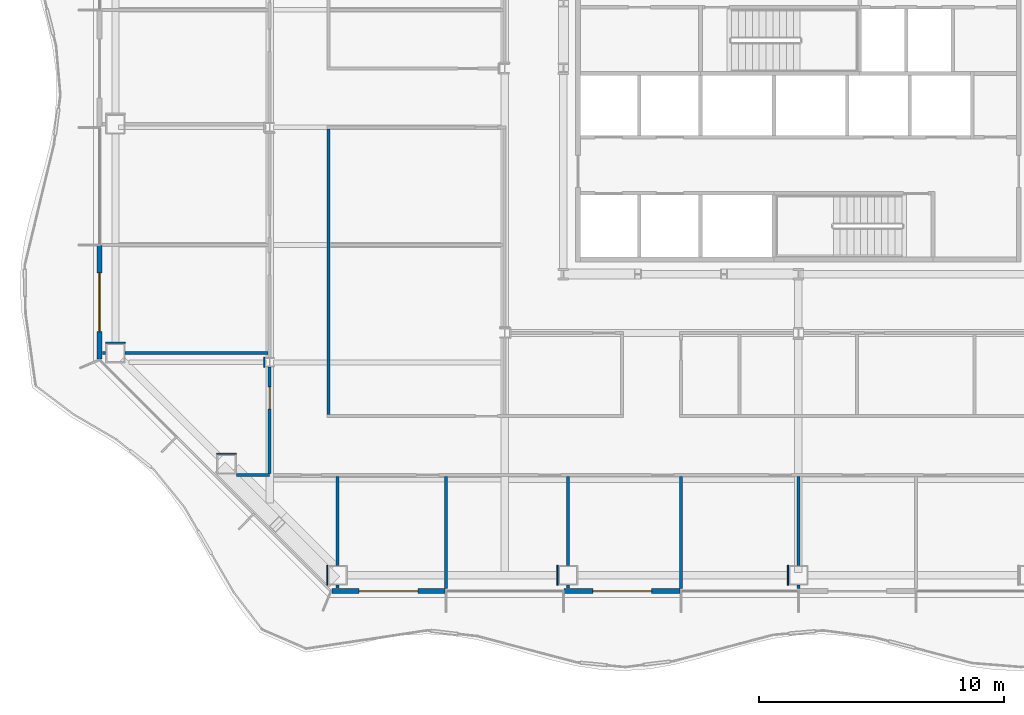
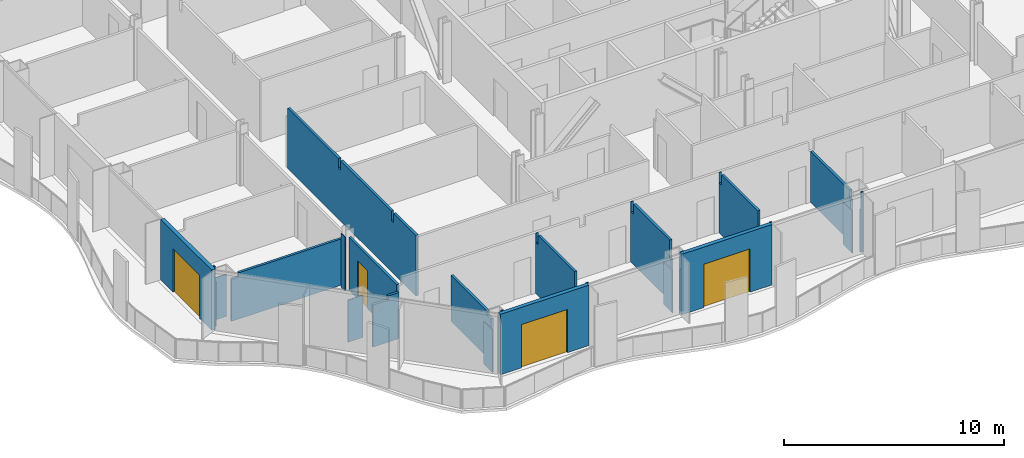
# One storey, part 7 of 23: 22 walls, 4 doors, 4 openings.
"""IFC4 building model written with IfcOpenShell, lengths in metres."""

from ifc_helpers import new_model, si_unit, direction, frame, frame_2d, origin, place, context, subcontext, project, spatial, polyline, rectangle, outline, extrude, material, layer, layer_set, type_object, element, fill, save


model = new_model("IFC4")

# Units and contexts
model_context = context("Model", 3, precision=1e-05, world=origin(), true_north=direction((0.0, 1.0)))
body_context = subcontext(model_context, "Body", "Model", "MODEL_VIEW")
ifc_project = project(units=[si_unit("LENGTHUNIT", "METRE"), si_unit("AREAUNIT", "SQUARE_METRE"), si_unit("VOLUMEUNIT", "CUBIC_METRE"), si_unit("PLANEANGLEUNIT", "RADIAN"), si_unit("MASSUNIT", "GRAM", prefix="KILO")], contexts=[model_context])

# Site, building, storey
site_placement = place(None, origin())
site = spatial("IfcSite", under=ifc_project, at=site_placement, CompositionType="ELEMENT")
building_placement = place(site_placement, origin())
building = spatial("IfcBuilding", under=site, at=building_placement, Name="Cairn Pilgrim Tower", CompositionType="ELEMENT")
storey_placement = place(building_placement, frame((0.0, 0.0, 115.800048828125)))
storey = spatial("IfcBuildingStorey", under=building, at=storey_placement, Name="L28", CompositionType="ELEMENT", Elevation=115.800048828125)

# Wall, opening, door
ifc_material_1 = material(Name="Bronze anodised aluminium insulated sandwich panel with mineral wool fill", Category="aluminium")
ifc_layer_1 = layer(ifc_material_1, 0.199951171875)
ifc_layer_set_1 = layer_set([ifc_layer_1], Name="BRONZE INFILL FRAME WALL 200")
wall_type_1 = type_object("IfcWallType", Name="BRONZE INFILL FRAME WALL 200", PredefinedType="NOTDEFINED", material=ifc_layer_set_1)
wall_1_placement = place(storey_placement, frame((-11.8564453125, -18.949951171875, 0.0), z_axis=(0.0, 0.0, 1.0), x_axis=(1.0, 0.0, 0.0)))
wall_1 = element("IfcWall", 1, at=wall_1_placement, inside=storey, type_object=wall_type_1, Name="Bronze infill frame wall IW-S1", PredefinedType="NOTDEFINED", context=body_context, shape_type="SweptSolid", body=[
    extrude(rectangle(XDim=4.62646484375, YDim=0.199951171875, at=frame_2d((2.313232421875, 0.0))), origin(), (0.0, 0.0, 1.0), 3.349853515625),
])
opening_1_placement = place(wall_1_placement, frame((1.1083984375, 0.0, 0.0)))
opening_1 = element("IfcOpeningElement", 2, at=opening_1_placement, cuts=wall_1, Name="Opening 2802B", PredefinedType="OPENING", context=body_context, shape_type="SweptSolid", body=[
    extrude(rectangle(XDim=2.39990234375, YDim=2.39990234375, at=frame_2d((1.199951171875, 1.199951171875))), frame((0.0, 0.10986328125, 0.0), z_axis=(0.0, -1.0, 0.0), x_axis=(1.0, 0.0, 0.0)), (0.0, 0.0, 1.0), 0.219970703125),
])
ifc_material_2 = material(Name="Bronze anodised aluminium frame with tinted low-E glass", Category="aluminium")
door_type_1 = type_object("IfcDoorType", Name="BALCONY SLIDING DOOR 2400x2400", OperationType="DOUBLE_DOOR_SLIDING", PredefinedType="DOOR", material=ifc_material_2)
door_1_placement = place(opening_1_placement, origin())
door_1 = element("IfcDoor", 3, at=door_1_placement, inside=storey, type_object=door_type_1, Name="Balcony sliding door 2802B", OperationType="SINGLE_SWING_LEFT", OverallHeight=2.39990234375, OverallWidth=2.39990234375, PredefinedType="DOOR", context=body_context, shape_type="SweptSolid", body=[
    extrude(rectangle(XDim=2.39990234375, YDim=2.39990234375, at=frame_2d((1.199951171875, 1.199951171875))), frame((0.0, 0.02490234375, 0.0), z_axis=(0.0, -1.0, 0.0), x_axis=(1.0, 0.0, 0.0)), (0.0, 0.0, 1.0), 0.050048828125),
])
fill(opening_1, door_1)

wall_2_placement = place(storey_placement, frame((-2.3701171875, -18.949951171875, 0.0), z_axis=(0.0, 0.0, 1.0), x_axis=(1.0, 0.0, 0.0)))
wall_2 = element("IfcWall", 4, at=wall_2_placement, inside=storey, type_object=wall_type_1, Name="Bronze infill frame wall IW-S3", PredefinedType="NOTDEFINED", context=body_context, shape_type="SweptSolid", body=[
    extrude(rectangle(XDim=4.740234375, YDim=0.199951171875, at=frame_2d((2.3701171875, 0.0))), origin(), (0.0, 0.0, 1.0), 3.349853515625),
])
opening_2_placement = place(wall_2_placement, frame((1.169921875, 0.0, 0.0)))
opening_2 = element("IfcOpeningElement", 5, at=opening_2_placement, cuts=wall_2, Name="Opening 2804B", PredefinedType="OPENING", context=body_context, shape_type="SweptSolid", body=[
    extrude(rectangle(XDim=2.39990234375, YDim=2.39990234375, at=frame_2d((1.199951171875, 1.199951171875))), frame((0.0, 0.10986328125, 0.0), z_axis=(0.0, -1.0, 0.0), x_axis=(1.0, 0.0, 0.0)), (0.0, 0.0, 1.0), 0.219970703125),
])
door_2_placement = place(opening_2_placement, origin())
door_2 = element("IfcDoor", 6, at=door_2_placement, inside=storey, type_object=door_type_1, Name="Balcony sliding door 2804B", OperationType="SINGLE_SWING_LEFT", OverallHeight=2.39990234375, OverallWidth=2.39990234375, PredefinedType="DOOR", context=body_context, shape_type="SweptSolid", body=[
    extrude(rectangle(XDim=2.39990234375, YDim=2.39990234375, at=frame_2d((1.199951171875, 1.199951171875))), frame((0.0, 0.02490234375, 0.0), z_axis=(0.0, -1.0, 0.0), x_axis=(1.0, 0.0, 0.0)), (0.0, 0.0, 1.0), 0.050048828125),
])
fill(opening_2, door_2)

wall_3_placement = place(storey_placement, frame((-21.35009765625, -4.830078125, 0.0), z_axis=(0.0, 0.0, 1.0), x_axis=(0.0, -1.0, 0.0)))
wall_3 = element("IfcWall", 7, at=wall_3_placement, inside=storey, type_object=wall_type_1, Name="Bronze infill frame wall IW-W6", PredefinedType="NOTDEFINED", context=body_context, shape_type="SweptSolid", body=[
    extrude(rectangle(XDim=4.62646484375, YDim=0.199951171875, at=frame_2d((2.313232421875, 0.0))), origin(), (0.0, 0.0, 1.0), 3.349853515625),
])
opening_3_placement = place(wall_3_placement, frame((1.117919921875, 0.0, 0.0)))
opening_3 = element("IfcOpeningElement", 8, at=opening_3_placement, cuts=wall_3, Name="Opening 2810B", PredefinedType="OPENING", context=body_context, shape_type="SweptSolid", body=[
    extrude(rectangle(XDim=2.39990234375, YDim=2.39990234375, at=frame_2d((1.199951171875, 1.199951171875))), frame((0.0, 0.10986328125, 0.0), z_axis=(0.0, -1.0, 0.0), x_axis=(1.0, 0.0, 0.0)), (0.0, 0.0, 1.0), 0.219970703125),
])
door_3_placement = place(opening_3_placement, origin())
door_3 = element("IfcDoor", 9, at=door_3_placement, inside=storey, type_object=door_type_1, Name="Balcony sliding door 2810B", OperationType="SINGLE_SWING_LEFT", OverallHeight=2.39990234375, OverallWidth=2.39990234375, PredefinedType="DOOR", context=body_context, shape_type="SweptSolid", body=[
    extrude(rectangle(XDim=2.39990234375, YDim=2.39990234375, at=frame_2d((1.199951171875, 1.199951171875))), frame((0.0, 0.02490234375, 0.0), z_axis=(0.0, -1.0, 0.0), x_axis=(1.0, 0.0, 0.0)), (0.0, 0.0, 1.0), 0.050048828125),
])
fill(opening_3, door_3)

# Walls
ifc_material_3 = material(Name="Gypsum partition")
ifc_layer_2 = layer(ifc_material_3, 0.125)
ifc_layer_set_2 = layer_set([ifc_layer_2], Name="PARTITION 125 DRYWALL EI 60")
wall_type_2 = type_object("IfcWallType", Name="PARTITION 125 DRYWALL EI 60", PredefinedType="PARTITIONING", material=ifc_layer_set_2)
wall_4_placement = place(storey_placement, frame((-7.199951171875, -18.85009765625, 0.0), z_axis=(0.0, 0.0, 1.0), x_axis=(0.0, 1.0, 0.0)))
element("IfcWall", 10, at=wall_4_placement, inside=storey, type_object=wall_type_2, Name="PARTITION W001", PredefinedType="PARTITIONING", context=body_context, shape_type="SweptSolid", body=[
    extrude(outline(polyline([(0.0, 0.0), (4.587646484375, 0.0), (4.58740234375, 3.349853515625), (4.550048828125, 3.349853515625), (4.548095703125, 2.829833984375), (4.35009765625, 2.829833984375), (4.347900390625, 3.349853515625), (1.050048828125, 3.349853515625), (1.048095703125, 2.329833984375), (0.050048828125, 2.329833984375), (0.048095703125, 3.349853515625), (0.0, 3.349853515625), (0.0, 0.0)])), frame((0.0, 0.0625, 0.0), z_axis=(0.0, -1.0, 0.0), x_axis=(1.0, 0.0, 0.0)), (0.0, 0.0, 1.0), 0.125),
])
wall_5_placement = place(storey_placement, frame((2.39990234375, -18.85009765625, 0.0), z_axis=(0.0, 0.0, 1.0), x_axis=(0.0, 1.0, 0.0)))
element("IfcWall", 11, at=wall_5_placement, inside=storey, type_object=wall_type_2, Name="PARTITION W002", PredefinedType="PARTITIONING", context=body_context, shape_type="SweptSolid", body=[
    extrude(outline(polyline([(0.0, 0.0), (4.587646484375, 0.0), (4.58740234375, 3.349853515625), (4.554931640625, 3.349853515625), (4.552978515625, 2.780029296875), (4.344970703125, 2.780029296875), (4.343017578125, 3.349853515625), (1.050048828125, 3.349853515625), (1.048095703125, 2.329833984375), (0.050048828125, 2.329833984375), (0.048095703125, 3.349853515625), (0.0, 3.349853515625), (0.0, 0.0)])), frame((0.0, 0.0625, 0.0), z_axis=(0.0, -1.0, 0.0), x_axis=(1.0, 0.0, 0.0)), (0.0, 0.0, 1.0), 0.125),
])
wall_6_placement = place(storey_placement, frame((7.199951171875, -18.85009765625, 0.0), z_axis=(0.0, 0.0, 1.0), x_axis=(0.0, 1.0, 0.0)))
element("IfcWall", 12, at=wall_6_placement, inside=storey, type_object=wall_type_2, Name="PARTITION W003", PredefinedType="PARTITIONING", context=body_context, shape_type="SweptSolid", body=[
    extrude(outline(polyline([(0.0, 0.0), (0.150146484375, 0.0), (0.14990234375, 2.329833984375), (0.050048828125, 2.329833984375), (0.048095703125, 3.349853515625), (0.0, 3.349853515625), (0.0, 0.0)])), frame((0.0, 0.0625, 0.0), z_axis=(0.0, -1.0, 0.0), x_axis=(1.0, 0.0, 0.0)), (0.0, 0.0, 1.0), 0.125),
])
wall_7_placement = place(storey_placement, frame((-11.626953125, -18.820068359375, 0.0), z_axis=(0.0, 0.0, 1.0), x_axis=(0.0, 1.0, 0.0)))
element("IfcWall", 13, at=wall_7_placement, inside=storey, type_object=wall_type_2, Name="PARTITION W007", PredefinedType="PARTITIONING", context=body_context, shape_type="SweptSolid", body=[
    extrude(outline(polyline([(0.0, 0.0), (0.1201171875, 0.0), (0.1201171875, 2.46728515625), (0.070068359375, 2.46728515625), (0.068115234375, 3.349853515625), (0.0, 3.349853515625), (0.0, 0.0)])), frame((0.0, 0.0625, 0.0), z_axis=(0.0, -1.0, 0.0), x_axis=(1.0, 0.0, 0.0)), (0.0, 0.0, 1.0), 0.125),
])
wall_8_placement = place(storey_placement, frame((-2.214111328125, -18.820068359375, 0.0), z_axis=(0.0, 0.0, 1.0), x_axis=(0.0, 1.0, 0.0)))
element("IfcWall", 14, at=wall_8_placement, inside=storey, type_object=wall_type_2, Name="PARTITION W008", PredefinedType="PARTITIONING", context=body_context, shape_type="SweptSolid", body=[
    extrude(outline(polyline([(0.0, 0.0), (0.1201171875, 0.0), (0.1201171875, 2.329833984375), (0.02001953125, 2.329833984375), (0.01806640625, 3.349853515625), (0.0, 3.349853515625), (0.0, 0.0)])), frame((0.0, 0.0625, 0.0), z_axis=(0.0, -1.0, 0.0), x_axis=(1.0, 0.0, 0.0)), (0.0, 0.0, 1.0), 0.125),
])
wall_9_placement = place(storey_placement, frame((-11.626953125, -17.89990234375, 0.0), z_axis=(0.0, 0.0, 1.0), x_axis=(0.0, 1.0, 0.0)))
element("IfcWall", 15, at=wall_9_placement, inside=storey, type_object=wall_type_2, Name="PARTITION W009", PredefinedType="PARTITIONING", context=body_context, shape_type="SweptSolid", body=[
    extrude(outline(polyline([(0.0, 0.0), (3.637451171875, 0.0), (3.637451171875, 2.557861328125), (0.369384765625, 2.557861328125), (0.367431640625, 2.329833984375), (0.0, 2.329833984375), (0.0, 0.0)])), frame((0.0, 0.0625, 0.0), z_axis=(0.0, -1.0, 0.0), x_axis=(1.0, 0.0, 0.0)), (0.0, 0.0, 1.0), 0.125),
])
wall_10_placement = place(storey_placement, frame((-2.214111328125, -17.89990234375, 0.0), z_axis=(0.0, 0.0, 1.0), x_axis=(0.0, 1.0, 0.0)))
element("IfcWall", 16, at=wall_10_placement, inside=storey, type_object=wall_type_2, Name="PARTITION W010", PredefinedType="PARTITIONING", context=body_context, shape_type="SweptSolid", body=[
    extrude(outline(polyline([(0.0, 0.0), (3.637451171875, 0.0), (3.637451171875, 3.349853515625), (3.60498046875, 3.349853515625), (3.60302734375, 2.780029296875), (3.39501953125, 2.780029296875), (3.39306640625, 3.349853515625), (0.10009765625, 3.349853515625), (0.097900390625, 2.329833984375), (0.0, 2.329833984375), (0.0, 0.0)])), frame((0.0, 0.0625, 0.0), z_axis=(0.0, -1.0, 0.0), x_axis=(1.0, 0.0, 0.0)), (0.0, 0.0, 1.0), 0.125),
])
wall_11_placement = place(storey_placement, frame((7.199951171875, -17.89990234375, 0.0), z_axis=(0.0, 0.0, 1.0), x_axis=(0.0, 1.0, 0.0)))
element("IfcWall", 17, at=wall_11_placement, inside=storey, type_object=wall_type_2, Name="PARTITION W011", PredefinedType="PARTITIONING", context=body_context, shape_type="SweptSolid", body=[
    extrude(outline(polyline([(0.0, 0.0), (3.637451171875, 0.0), (3.637451171875, 2.829833984375), (0.10009765625, 2.829833984375), (0.097900390625, 2.329833984375), (0.0, 2.329833984375), (0.0, 0.0)])), frame((0.0, 0.0625, 0.0), z_axis=(0.0, -1.0, 0.0), x_axis=(1.0, 0.0, 0.0)), (0.0, 0.0, 1.0), 0.125),
])
wall_12_placement = place(storey_placement, frame((-15.763671875, -14.199951171875, 0.0), z_axis=(0.0, 0.0, 1.0), x_axis=(1.0, 0.0, 0.0)))
element("IfcWall", 18, at=wall_12_placement, inside=storey, type_object=wall_type_2, Name="PARTITION W014", PredefinedType="PARTITIONING", context=body_context, shape_type="SweptSolid", body=[
    extrude(outline(polyline([(0.0, 0.0), (1.36376953125, 0.0), (1.363525390625, 2.554931640625), (0.805908203125, 2.554931640625), (0.803955078125, 2.329833984375), (0.0, 2.329833984375), (0.0, 0.0)])), frame((0.0, 0.0625, 0.0), z_axis=(0.0, -1.0, 0.0), x_axis=(1.0, 0.0, 0.0)), (0.0, 0.0, 1.0), 0.125),
])

# Wall, opening, door
wall_13_placement = place(storey_placement, frame((-14.39990234375, -14.137451171875, 0.0), z_axis=(0.0, 0.0, 1.0), x_axis=(0.0, 1.0, 0.0)))
wall_13 = element("IfcWall", 19, at=wall_13_placement, inside=storey, type_object=wall_type_2, Name="PARTITION W017", PredefinedType="PARTITIONING", context=body_context, shape_type="SweptSolid", body=[
    extrude(rectangle(XDim=4.341064453125, YDim=0.125, at=frame_2d((2.17041015625, 0.0))), origin(), (0.0, 0.0, 1.0), 2.929931640625),
])
opening_4_placement = place(wall_13_placement, frame((2.637451171875, 0.0, 0.0)))
opening_4 = element("IfcOpeningElement", 20, at=opening_4_placement, cuts=wall_13, Name="Opening 2809", PredefinedType="OPENING", context=body_context, shape_type="SweptSolid", body=[
    extrude(rectangle(XDim=0.89990234375, YDim=2.10009765625, at=frame_2d((0.449951171875, 1.050048828125))), frame((0.0, 0.072509765625, 0.0), z_axis=(0.0, -1.0, 0.0), x_axis=(1.0, 0.0, 0.0)), (0.0, 0.0, 1.0), 0.14501953125),
])
ifc_material_4 = material(Name="Steel-faced fire door leaf", Category="steel")
door_type_2 = type_object("IfcDoorType", Name="FIRE DOOR 900x2100 FD30S", OperationType="NOTDEFINED", PredefinedType="DOOR", material=ifc_material_4)
door_4_placement = place(opening_4_placement, origin())
door_4 = element("IfcDoor", 21, at=door_4_placement, inside=storey, type_object=door_type_2, Name="DOOR 2809", OperationType="SINGLE_SWING_RIGHT", OverallHeight=2.10009765625, OverallWidth=0.89990234375, PredefinedType="DOOR", context=body_context, shape_type="SweptSolid", body=[
    extrude(rectangle(XDim=0.89990234375, YDim=2.10009765625, at=frame_2d((0.449951171875, 1.050048828125))), frame((0.0, 0.02490234375, 0.0), z_axis=(0.0, -1.0, 0.0), x_axis=(1.0, 0.0, 0.0)), (0.0, 0.0, 1.0), 0.050048828125),
])
fill(opening_4, door_4)

# Walls
wall_14_placement = place(storey_placement, frame((-12.0, -11.737548828125, 0.0), z_axis=(0.0, 0.0, 1.0), x_axis=(0.0, 1.0, 0.0)))
element("IfcWall", 22, at=wall_14_placement, inside=storey, type_object=wall_type_2, Name="PARTITION W021", PredefinedType="PARTITIONING", context=body_context, shape_type="SweptSolid", body=[
    extrude(outline(polyline([(0.0, 0.0), (11.675048828125, 0.0), (11.675048828125, 2.829833984375), (11.637451171875, 2.829833984375), (11.635498046875, 3.349853515625), (7.03759765625, 3.349853515625), (7.035400390625, 2.829833984375), (6.83740234375, 2.829833984375), (6.83544921875, 3.349853515625), (2.237548828125, 3.349853515625), (2.235595703125, 2.829833984375), (2.03759765625, 2.829833984375), (2.035400390625, 3.349853515625), (0.0, 3.349853515625), (0.0, 0.0)])), frame((0.0, 0.0625, 0.0), z_axis=(0.0, -1.0, 0.0), x_axis=(1.0, 0.0, 0.0)), (0.0, 0.0, 1.0), 0.125),
])
wall_15_placement = place(storey_placement, frame((-21.219970703125, -9.22705078125, 0.0), z_axis=(0.0, 0.0, 1.0), x_axis=(1.0, 0.0, 0.0)))
element("IfcWall", 23, at=wall_15_placement, inside=storey, type_object=wall_type_2, Name="PARTITION W032", PredefinedType="PARTITIONING", context=body_context, shape_type="SweptSolid", body=[
    extrude(outline(polyline([(0.0, 0.0), (0.119873046875, 0.0), (0.1201171875, 2.46923828125), (0.070068359375, 2.46923828125), (0.068115234375, 3.349853515625), (0.0, 3.349853515625), (0.0, 0.0)])), frame((0.0, 0.0625, 0.0), z_axis=(0.0, -1.0, 0.0), x_axis=(1.0, 0.0, 0.0)), (0.0, 0.0, 1.0), 0.125),
])
wall_16_placement = place(storey_placement, frame((-20.300048828125, -9.22705078125, 0.0), z_axis=(0.0, 0.0, 1.0), x_axis=(1.0, 0.0, 0.0)))
element("IfcWall", 24, at=wall_16_placement, inside=storey, type_object=wall_type_2, Name="PARTITION W033", PredefinedType="PARTITIONING", context=body_context, shape_type="SweptSolid", body=[
    extrude(outline(polyline([(0.0, 0.0), (5.837646484375, 0.0), (5.83740234375, 2.557861328125), (0.369384765625, 2.557861328125), (0.367431640625, 2.329833984375), (0.0, 2.329833984375), (0.0, 0.0)])), frame((0.0, 0.0625, 0.0), z_axis=(0.0, -1.0, 0.0), x_axis=(1.0, 0.0, 0.0)), (0.0, 0.0, 1.0), 0.125),
])
ifc_layer_3 = layer(ifc_material_3, 0.050048828125)
ifc_layer_set_3 = layer_set([ifc_layer_3], Name="PARTITION 50 DRYWALL EI 60")
wall_type_3 = type_object("IfcWallType", Name="PARTITION 50 DRYWALL EI 60", PredefinedType="PARTITIONING", material=ifc_layer_set_3)
for number, where, z_axis, x_axis, name in (
    (25, (6.77490234375, -18.699951171875, 0.0), (0.0, 0.0, 1.0), (0.0, 1.0, 0.0), "COLUMN CASING WC01"),
    (26, (-12.05224609375, -18.699951171875, 0.0), (0.0, 0.0, 1.0), (0.0, 1.0, 0.0), "COLUMN CASING WC03"),
    (27, (-2.638671875, -18.699951171875, 0.0), (0.0, 0.0, 1.0), (0.0, 1.0, 0.0), "COLUMN CASING WC04"),
    (28, (-16.563720703125, -13.338623046875, 0.0), (0.0, 0.0, 1.0), (1.0, 0.0, 0.0), "COLUMN CASING WC05"),
):
    element("IfcWall", number, at=place(storey_placement, frame(where, z_axis=z_axis, x_axis=x_axis)), inside=storey, type_object=wall_type_3, Name=name, PredefinedType="PARTITIONING", context=body_context, shape_type="SweptSolid", body=[
        extrude(rectangle(XDim=0.800048828125, YDim=0.050048828125, at=frame_2d((0.39990234375, 0.0))), origin(), (0.0, 0.0, 1.0), 2.329833984375),
    ])
wall_17_placement = place(storey_placement, frame((-14.62451171875, -9.79638671875, 0.0), z_axis=(0.0, 0.0, 1.0), x_axis=(0.0, 1.0, 0.0)))
element("IfcWall", 29, at=wall_17_placement, inside=storey, type_object=wall_type_3, Name="COLUMN CASING WC06", PredefinedType="PARTITIONING", context=body_context, shape_type="SweptSolid", body=[
    extrude(rectangle(XDim=0.392822265625, YDim=0.050048828125, at=frame_2d((0.1962890625, 0.0))), origin(), (0.0, 0.0, 1.0), 2.969970703125),
])
wall_18_placement = place(storey_placement, frame((-21.10009765625, -8.80224609375, 0.0), z_axis=(0.0, 0.0, 1.0), x_axis=(1.0, 0.0, 0.0)))
element("IfcWall", 30, at=wall_18_placement, inside=storey, type_object=wall_type_3, Name="COLUMN CASING WC13", PredefinedType="PARTITIONING", context=body_context, shape_type="SweptSolid", body=[
    extrude(rectangle(XDim=0.800048828125, YDim=0.050048828125, at=frame_2d((0.39990234375, 0.0))), origin(), (0.0, 0.0, 1.0), 2.329833984375),
])

save(model, "model.ifc")
